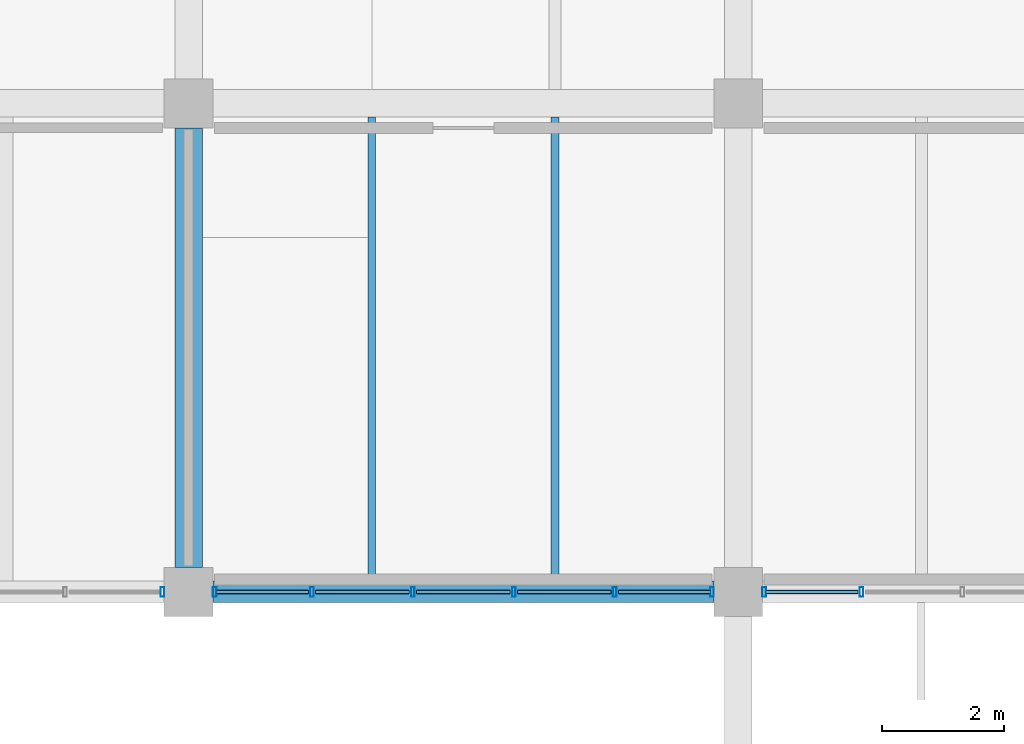
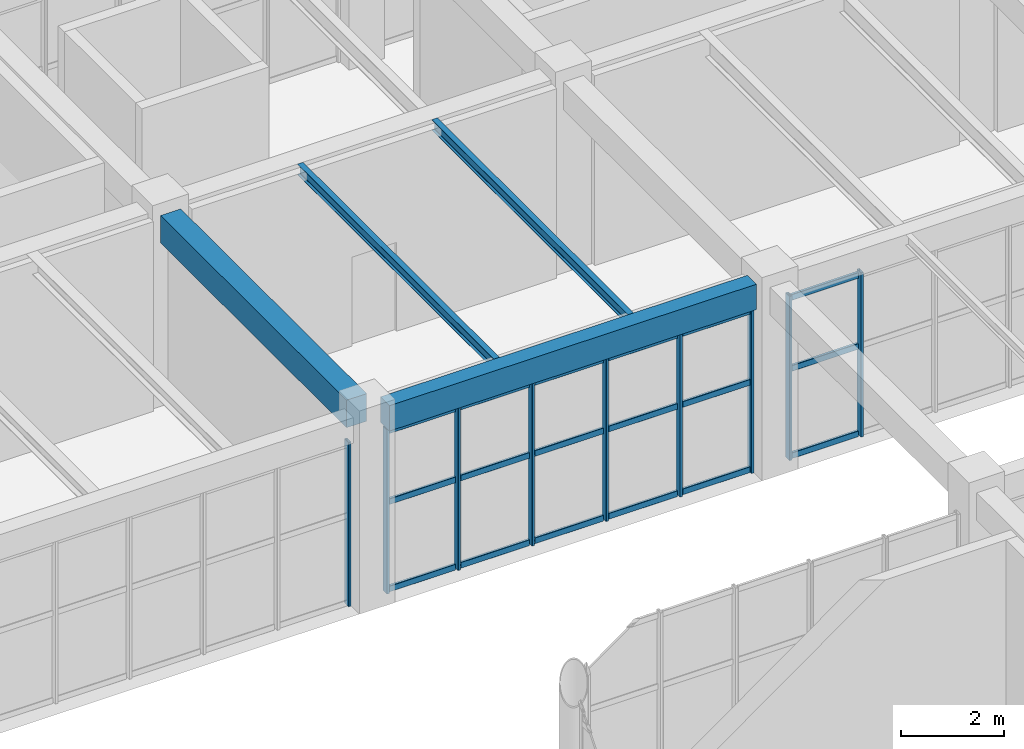
# One storey, part 84 of 178: 27 members, 4 beams, 3 elements without a shape of their own.
"""IFC4 building model written with IfcOpenShell, lengths in metres."""

from ifc_helpers import new_model, si_unit, derived_unit, direction, frame, origin, origin_2d, place, context, subcontext, project, spatial, rectangle, hollow_rectangle, i_section, extrude, material, material_profile, profile_set, type_object, element, aggregate, save


model = new_model("IFC4")

# Units and contexts
model_context = context("Model", 3, precision=1e-05, world=origin(), true_north=direction((0.0, 1.0)))
body_context = subcontext(model_context, "Body", "Model", "MODEL_VIEW")
ifc_project = project(units=[si_unit("LENGTHUNIT", "METRE"), si_unit("AREAUNIT", "SQUARE_METRE"), si_unit("VOLUMEUNIT", "CUBIC_METRE"), si_unit("PLANEANGLEUNIT", "RADIAN"), si_unit("MASSUNIT", "GRAM", prefix="KILO"), derived_unit("THERMALTRANSMITTANCEUNIT", [(si_unit("MASSUNIT", "GRAM", prefix="KILO"), 1), (si_unit("TIMEUNIT", "SECOND"), -3), (si_unit("THERMODYNAMICTEMPERATUREUNIT", "KELVIN"), -1)])], contexts=[model_context])

# Site, building, storey
site_placement = place(None, origin())
site = spatial("IfcSite", under=ifc_project, at=site_placement, CompositionType="ELEMENT")
building_placement = place(site_placement, origin())
building = spatial("IfcBuilding", under=site, at=building_placement, Name="Zhenchuan Archway Interchange", CompositionType="ELEMENT")
storey_placement = place(building_placement, frame((0.0, 0.0, 5.39990234375)))
storey = spatial("IfcBuildingStorey", under=building, at=storey_placement, Name="L01", CompositionType="ELEMENT", Elevation=5.39990234375)

# Beam
ifc_material_1 = material(Name="Concrete C40", Category="concrete")
ifc_material_profile_1 = material_profile(ifc_material_1, rectangle(XDim=0.449951171875, YDim=0.64990234375, at=origin_2d()), Name="RC 450x650")
ifc_profile_set_1 = profile_set([ifc_material_profile_1], Name="Concrete C40")
beam_type_1 = type_object("IfcBeamType", Name="BM_RC_450x650", PredefinedType="BEAM", material=ifc_profile_set_1)
beam_1_placement = place(storey_placement, frame((18.0, 96.39990234375, 4.18505859375), z_axis=(0.0, 1.0, 0.0), x_axis=(-1.0, 0.0, 0.0)))
element("IfcBeam", 1, at=beam_1_placement, inside=storey, type_object=beam_type_1, Name="Beam 3:N-O (L01)", PredefinedType="BEAM", context=body_context, shape_type="SweptSolid", body=[
    extrude(rectangle(XDim=0.449951171875, YDim=0.64990234375, at=origin_2d()), origin(), (0.0, 0.0, 1.0), 7.2001953125),
])

# Curtain wall, members
ifc_material_2 = material(Name="Anodised Aluminium", Category="aluminium")
curtain_wall_type_1 = type_object("IfcCurtainWallType", Name="CW_UNIT_4", PredefinedType="NOTDEFINED", material=ifc_material_2)
curtain_wall_1_placement = place(storey_placement, origin())
curtain_wall_1 = element("IfcCurtainWall", 2, at=curtain_wall_1_placement, inside=storey, type_object=curtain_wall_type_1, Name="Unitised curtain wall CW:L01:039", PredefinedType="NOTDEFINED")
ifc_material_profile_2 = material_profile(ifc_material_2, hollow_rectangle(XDim=0.06005859375, YDim=0.159912109375, WallThickness=0.00390625, InnerFilletRadius=0.00390625, OuterFilletRadius=0.008056640625, at=origin_2d()), Name="ALU 160x60x4")
ifc_profile_set_2 = profile_set([ifc_material_profile_2], Name="Anodised Aluminium")
member_type_1 = type_object("IfcMemberType", Name="CW_MUL_150", PredefinedType="MULLION", material=ifc_profile_set_2)
member_1_placement = place(storey_placement, frame((29.020751953125, 96.0, 0.0), z_axis=(0.0, 0.0, 1.0), x_axis=(1.0, 0.0, 0.0)))
member_1 = element("IfcMember", 3, at=member_1_placement, type_object=member_type_1, Name="CW:L01:039 mullion 4", PredefinedType="MULLION", context=body_context, shape_type="SweptSolid", body=[
    extrude(hollow_rectangle(XDim=0.06005859375, YDim=0.159912109375, WallThickness=0.00390625, InnerFilletRadius=0.00390625, OuterFilletRadius=0.008056640625, at=origin_2d()), origin(), (0.0, 0.0, 1.0), 3.880126953125),
])
member_2_placement = place(storey_placement, frame((27.427978515625, 96.0, 0.0), z_axis=(0.0, 0.0, 1.0), x_axis=(1.0, 0.0, 0.0)))
member_2 = element("IfcMember", 4, at=member_2_placement, type_object=member_type_1, Name="CW:L01:039 mullion 5", PredefinedType="MULLION", context=body_context, shape_type="SweptSolid", body=[
    extrude(hollow_rectangle(XDim=0.06005859375, YDim=0.159912109375, WallThickness=0.00390625, InnerFilletRadius=0.00390625, OuterFilletRadius=0.008056640625, at=origin_2d()), origin(), (0.0, 0.0, 1.0), 3.880126953125),
])

curtain_wall_type_2 = type_object("IfcCurtainWallType", Name="CW_UNIT_1", PredefinedType="NOTDEFINED", material=ifc_material_2)
curtain_wall_2_placement = place(storey_placement, origin())
curtain_wall_2 = element("IfcCurtainWall", 5, at=curtain_wall_2_placement, inside=storey, type_object=curtain_wall_type_2, Name="Unitised curtain wall CW:L01:040", PredefinedType="NOTDEFINED")
member_3_placement = place(storey_placement, frame((26.572021484375, 96.0, 0.0), z_axis=(0.0, 0.0, 1.0), x_axis=(1.0, 0.0, 0.0)))
member_3 = element("IfcMember", 6, at=member_3_placement, type_object=member_type_1, Name="CW:L01:040 mullion 0", PredefinedType="MULLION", context=body_context, shape_type="SweptSolid", body=[
    extrude(hollow_rectangle(XDim=0.06005859375, YDim=0.159912109375, WallThickness=0.00390625, InnerFilletRadius=0.00390625, OuterFilletRadius=0.008056640625, at=origin_2d()), origin(), (0.0, 0.0, 1.0), 3.880126953125),
])
member_4_placement = place(storey_placement, frame((24.979248046875, 96.0, 0.0), z_axis=(0.0, 0.0, 1.0), x_axis=(1.0, 0.0, 0.0)))
member_4 = element("IfcMember", 7, at=member_4_placement, type_object=member_type_1, Name="CW:L01:040 mullion 1", PredefinedType="MULLION", context=body_context, shape_type="SweptSolid", body=[
    extrude(hollow_rectangle(XDim=0.06005859375, YDim=0.159912109375, WallThickness=0.00390625, InnerFilletRadius=0.00390625, OuterFilletRadius=0.008056640625, at=origin_2d()), origin(), (0.0, 0.0, 1.0), 3.880126953125),
])
member_5_placement = place(storey_placement, frame((23.326416015625, 96.0, 0.0), z_axis=(0.0, 0.0, 1.0), x_axis=(1.0, 0.0, 0.0)))
member_5 = element("IfcMember", 8, at=member_5_placement, type_object=member_type_1, Name="CW:L01:040 mullion 2", PredefinedType="MULLION", context=body_context, shape_type="SweptSolid", body=[
    extrude(hollow_rectangle(XDim=0.06005859375, YDim=0.159912109375, WallThickness=0.00390625, InnerFilletRadius=0.00390625, OuterFilletRadius=0.008056640625, at=origin_2d()), origin(), (0.0, 0.0, 1.0), 3.880126953125),
])
member_6_placement = place(storey_placement, frame((21.673583984375, 96.0, 0.0), z_axis=(0.0, 0.0, 1.0), x_axis=(1.0, 0.0, 0.0)))
member_6 = element("IfcMember", 9, at=member_6_placement, type_object=member_type_1, Name="CW:L01:040 mullion 3", PredefinedType="MULLION", context=body_context, shape_type="SweptSolid", body=[
    extrude(hollow_rectangle(XDim=0.06005859375, YDim=0.159912109375, WallThickness=0.00390625, InnerFilletRadius=0.00390625, OuterFilletRadius=0.008056640625, at=origin_2d()), origin(), (0.0, 0.0, 1.0), 3.880126953125),
])
member_7_placement = place(storey_placement, frame((20.020751953125, 96.0, 0.0), z_axis=(0.0, 0.0, 1.0), x_axis=(1.0, 0.0, 0.0)))
member_7 = element("IfcMember", 10, at=member_7_placement, type_object=member_type_1, Name="CW:L01:040 mullion 4", PredefinedType="MULLION", context=body_context, shape_type="SweptSolid", body=[
    extrude(hollow_rectangle(XDim=0.06005859375, YDim=0.159912109375, WallThickness=0.00390625, InnerFilletRadius=0.00390625, OuterFilletRadius=0.008056640625, at=origin_2d()), origin(), (0.0, 0.0, 1.0), 3.880126953125),
])
member_8_placement = place(storey_placement, frame((18.427978515625, 96.0, 0.0), z_axis=(0.0, 0.0, 1.0), x_axis=(1.0, 0.0, 0.0)))
member_8 = element("IfcMember", 11, at=member_8_placement, type_object=member_type_1, Name="CW:L01:040 mullion 5", PredefinedType="MULLION", context=body_context, shape_type="SweptSolid", body=[
    extrude(hollow_rectangle(XDim=0.06005859375, YDim=0.159912109375, WallThickness=0.00390625, InnerFilletRadius=0.00390625, OuterFilletRadius=0.008056640625, at=origin_2d()), origin(), (0.0, 0.0, 1.0), 3.880126953125),
])

# Curtain wall, member
curtain_wall_type_3 = type_object("IfcCurtainWallType", Name="CW_UNIT_2", PredefinedType="NOTDEFINED", material=ifc_material_2)
curtain_wall_3_placement = place(storey_placement, origin())
curtain_wall_3 = element("IfcCurtainWall", 12, at=curtain_wall_3_placement, inside=storey, type_object=curtain_wall_type_3, Name="Unitised curtain wall CW:L01:041", PredefinedType="NOTDEFINED")
member_9_placement = place(storey_placement, frame((17.572021484375, 96.0, 0.0), z_axis=(0.0, 0.0, 1.0), x_axis=(1.0, 0.0, 0.0)))
member_9 = element("IfcMember", 13, at=member_9_placement, type_object=member_type_1, Name="CW:L01:041 mullion 0", PredefinedType="MULLION", context=body_context, shape_type="SweptSolid", body=[
    extrude(hollow_rectangle(XDim=0.06005859375, YDim=0.159912109375, WallThickness=0.00390625, InnerFilletRadius=0.00390625, OuterFilletRadius=0.008056640625, at=origin_2d()), origin(), (0.0, 0.0, 1.0), 3.880126953125),
])
aggregate(curtain_wall_3, [member_9])

# Member
ifc_material_profile_3 = material_profile(ifc_material_2, hollow_rectangle(XDim=0.06005859375, YDim=0.139892578125, WallThickness=0.00341796875, InnerFilletRadius=0.00341796875, OuterFilletRadius=0.007080078125, at=origin_2d()), Name="ALU 140x60x3.5")
ifc_profile_set_3 = profile_set([ifc_material_profile_3], Name="Anodised Aluminium")
member_type_2 = type_object("IfcMemberType", Name="CW_TRN_140", PredefinedType="USERDEFINED", material=ifc_profile_set_3)
member_10_placement = place(storey_placement, frame((28.960693359375, 96.0, 0.06005859375), z_axis=(-1.0, 0.0, 0.0), x_axis=(0.0, -1.0, 0.0)))
member_10 = element("IfcMember", 14, at=member_10_placement, type_object=member_type_2, Name="CW:L01:039 transom 4-1", ObjectType="TRANSOM", PredefinedType="USERDEFINED", context=body_context, shape_type="SweptSolid", body=[
    extrude(hollow_rectangle(XDim=0.06005859375, YDim=0.139892578125, WallThickness=0.00341796875, InnerFilletRadius=0.00341796875, OuterFilletRadius=0.007080078125, at=origin_2d()), origin(), (0.0, 0.0, 1.0), 1.5126953125),
])

member_11_placement = place(storey_placement, frame((28.960693359375, 96.0, 2.123046875), z_axis=(-1.0, 0.0, 0.0), x_axis=(0.0, -1.0, 0.0)))
member_11 = element("IfcMember", 15, at=member_11_placement, type_object=member_type_2, Name="CW:L01:039 transom 4-2", ObjectType="TRANSOM", PredefinedType="USERDEFINED", context=body_context, shape_type="SweptSolid", body=[
    extrude(hollow_rectangle(XDim=0.06005859375, YDim=0.139892578125, WallThickness=0.00341796875, InnerFilletRadius=0.00341796875, OuterFilletRadius=0.007080078125, at=origin_2d()), origin(), (0.0, 0.0, 1.0), 1.5126953125),
])

member_12_placement = place(storey_placement, frame((28.960693359375, 96.0, 3.800048828125), z_axis=(-1.0, 0.0, 0.0), x_axis=(0.0, -1.0, 0.0)))
member_12 = element("IfcMember", 16, at=member_12_placement, type_object=member_type_2, Name="CW:L01:039 transom 4-3", ObjectType="TRANSOM", PredefinedType="USERDEFINED", context=body_context, shape_type="SweptSolid", body=[
    extrude(hollow_rectangle(XDim=0.06005859375, YDim=0.139892578125, WallThickness=0.00341796875, InnerFilletRadius=0.00341796875, OuterFilletRadius=0.007080078125, at=origin_2d()), origin(), (0.0, 0.0, 1.0), 1.5126953125),
])

aggregate(curtain_wall_1, [member_1, member_2, member_10, member_11, member_12])

member_13_placement = place(storey_placement, frame((26.552001953125, 96.0, 0.06005859375), z_axis=(-1.0, 0.0, 0.0), x_axis=(0.0, -1.0, 0.0)))
member_13 = element("IfcMember", 17, at=member_13_placement, type_object=member_type_2, Name="CW:L01:040 transom 0-1", ObjectType="TRANSOM", PredefinedType="USERDEFINED", context=body_context, shape_type="SweptSolid", body=[
    extrude(hollow_rectangle(XDim=0.06005859375, YDim=0.139892578125, WallThickness=0.00341796875, InnerFilletRadius=0.00341796875, OuterFilletRadius=0.007080078125, at=origin_2d()), origin(), (0.0, 0.0, 1.0), 1.5126953125),
])

member_14_placement = place(storey_placement, frame((26.552001953125, 96.0, 2.123046875), z_axis=(-1.0, 0.0, 0.0), x_axis=(0.0, -1.0, 0.0)))
member_14 = element("IfcMember", 18, at=member_14_placement, type_object=member_type_2, Name="CW:L01:040 transom 0-2", ObjectType="TRANSOM", PredefinedType="USERDEFINED", context=body_context, shape_type="SweptSolid", body=[
    extrude(hollow_rectangle(XDim=0.06005859375, YDim=0.139892578125, WallThickness=0.00341796875, InnerFilletRadius=0.00341796875, OuterFilletRadius=0.007080078125, at=origin_2d()), origin(), (0.0, 0.0, 1.0), 1.5126953125),
])

member_15_placement = place(storey_placement, frame((26.552001953125, 96.0, 3.800048828125), z_axis=(-1.0, 0.0, 0.0), x_axis=(0.0, -1.0, 0.0)))
member_15 = element("IfcMember", 19, at=member_15_placement, type_object=member_type_2, Name="CW:L01:040 transom 0-3", ObjectType="TRANSOM", PredefinedType="USERDEFINED", context=body_context, shape_type="SweptSolid", body=[
    extrude(hollow_rectangle(XDim=0.06005859375, YDim=0.139892578125, WallThickness=0.00341796875, InnerFilletRadius=0.00341796875, OuterFilletRadius=0.007080078125, at=origin_2d()), origin(), (0.0, 0.0, 1.0), 1.5126953125),
])

member_16_placement = place(storey_placement, frame((24.919189453125, 96.0, 0.06005859375), z_axis=(-1.0, 0.0, 0.0), x_axis=(0.0, -1.0, 0.0)))
member_16 = element("IfcMember", 20, at=member_16_placement, type_object=member_type_2, Name="CW:L01:040 transom 1-1", ObjectType="TRANSOM", PredefinedType="USERDEFINED", context=body_context, shape_type="SweptSolid", body=[
    extrude(hollow_rectangle(XDim=0.06005859375, YDim=0.139892578125, WallThickness=0.00341796875, InnerFilletRadius=0.00341796875, OuterFilletRadius=0.007080078125, at=origin_2d()), origin(), (0.0, 0.0, 1.0), 1.53271484375),
])

member_17_placement = place(storey_placement, frame((24.919189453125, 96.0, 2.123046875), z_axis=(-1.0, 0.0, 0.0), x_axis=(0.0, -1.0, 0.0)))
member_17 = element("IfcMember", 21, at=member_17_placement, type_object=member_type_2, Name="CW:L01:040 transom 1-2", ObjectType="TRANSOM", PredefinedType="USERDEFINED", context=body_context, shape_type="SweptSolid", body=[
    extrude(hollow_rectangle(XDim=0.06005859375, YDim=0.139892578125, WallThickness=0.00341796875, InnerFilletRadius=0.00341796875, OuterFilletRadius=0.007080078125, at=origin_2d()), origin(), (0.0, 0.0, 1.0), 1.53271484375),
])

member_18_placement = place(storey_placement, frame((24.919189453125, 96.0, 3.800048828125), z_axis=(-1.0, 0.0, 0.0), x_axis=(0.0, -1.0, 0.0)))
member_18 = element("IfcMember", 22, at=member_18_placement, type_object=member_type_2, Name="CW:L01:040 transom 1-3", ObjectType="TRANSOM", PredefinedType="USERDEFINED", context=body_context, shape_type="SweptSolid", body=[
    extrude(hollow_rectangle(XDim=0.06005859375, YDim=0.139892578125, WallThickness=0.00341796875, InnerFilletRadius=0.00341796875, OuterFilletRadius=0.007080078125, at=origin_2d()), origin(), (0.0, 0.0, 1.0), 1.53271484375),
])

member_19_placement = place(storey_placement, frame((23.266357421875, 96.0, 0.06005859375), z_axis=(-1.0, 0.0, 0.0), x_axis=(0.0, -1.0, 0.0)))
member_19 = element("IfcMember", 23, at=member_19_placement, type_object=member_type_2, Name="CW:L01:040 transom 2-1", ObjectType="TRANSOM", PredefinedType="USERDEFINED", context=body_context, shape_type="SweptSolid", body=[
    extrude(hollow_rectangle(XDim=0.06005859375, YDim=0.139892578125, WallThickness=0.00341796875, InnerFilletRadius=0.00341796875, OuterFilletRadius=0.007080078125, at=origin_2d()), origin(), (0.0, 0.0, 1.0), 1.53271484375),
])

member_20_placement = place(storey_placement, frame((23.266357421875, 96.0, 2.123046875), z_axis=(-1.0, 0.0, 0.0), x_axis=(0.0, -1.0, 0.0)))
member_20 = element("IfcMember", 24, at=member_20_placement, type_object=member_type_2, Name="CW:L01:040 transom 2-2", ObjectType="TRANSOM", PredefinedType="USERDEFINED", context=body_context, shape_type="SweptSolid", body=[
    extrude(hollow_rectangle(XDim=0.06005859375, YDim=0.139892578125, WallThickness=0.00341796875, InnerFilletRadius=0.00341796875, OuterFilletRadius=0.007080078125, at=origin_2d()), origin(), (0.0, 0.0, 1.0), 1.53271484375),
])

member_21_placement = place(storey_placement, frame((23.266357421875, 96.0, 3.800048828125), z_axis=(-1.0, 0.0, 0.0), x_axis=(0.0, -1.0, 0.0)))
member_21 = element("IfcMember", 25, at=member_21_placement, type_object=member_type_2, Name="CW:L01:040 transom 2-3", ObjectType="TRANSOM", PredefinedType="USERDEFINED", context=body_context, shape_type="SweptSolid", body=[
    extrude(hollow_rectangle(XDim=0.06005859375, YDim=0.139892578125, WallThickness=0.00341796875, InnerFilletRadius=0.00341796875, OuterFilletRadius=0.007080078125, at=origin_2d()), origin(), (0.0, 0.0, 1.0), 1.53271484375),
])

member_22_placement = place(storey_placement, frame((21.613525390625, 96.0, 0.06005859375), z_axis=(-1.0, 0.0, 0.0), x_axis=(0.0, -1.0, 0.0)))
member_22 = element("IfcMember", 26, at=member_22_placement, type_object=member_type_2, Name="CW:L01:040 transom 3-1", ObjectType="TRANSOM", PredefinedType="USERDEFINED", context=body_context, shape_type="SweptSolid", body=[
    extrude(hollow_rectangle(XDim=0.06005859375, YDim=0.139892578125, WallThickness=0.00341796875, InnerFilletRadius=0.00341796875, OuterFilletRadius=0.007080078125, at=origin_2d()), origin(), (0.0, 0.0, 1.0), 1.53271484375),
])

member_23_placement = place(storey_placement, frame((21.613525390625, 96.0, 2.123046875), z_axis=(-1.0, 0.0, 0.0), x_axis=(0.0, -1.0, 0.0)))
member_23 = element("IfcMember", 27, at=member_23_placement, type_object=member_type_2, Name="CW:L01:040 transom 3-2", ObjectType="TRANSOM", PredefinedType="USERDEFINED", context=body_context, shape_type="SweptSolid", body=[
    extrude(hollow_rectangle(XDim=0.06005859375, YDim=0.139892578125, WallThickness=0.00341796875, InnerFilletRadius=0.00341796875, OuterFilletRadius=0.007080078125, at=origin_2d()), origin(), (0.0, 0.0, 1.0), 1.53271484375),
])

member_24_placement = place(storey_placement, frame((21.613525390625, 96.0, 3.800048828125), z_axis=(-1.0, 0.0, 0.0), x_axis=(0.0, -1.0, 0.0)))
member_24 = element("IfcMember", 28, at=member_24_placement, type_object=member_type_2, Name="CW:L01:040 transom 3-3", ObjectType="TRANSOM", PredefinedType="USERDEFINED", context=body_context, shape_type="SweptSolid", body=[
    extrude(hollow_rectangle(XDim=0.06005859375, YDim=0.139892578125, WallThickness=0.00341796875, InnerFilletRadius=0.00341796875, OuterFilletRadius=0.007080078125, at=origin_2d()), origin(), (0.0, 0.0, 1.0), 1.53271484375),
])

member_25_placement = place(storey_placement, frame((19.960693359375, 96.0, 0.06005859375), z_axis=(-1.0, 0.0, 0.0), x_axis=(0.0, -1.0, 0.0)))
member_25 = element("IfcMember", 29, at=member_25_placement, type_object=member_type_2, Name="CW:L01:040 transom 4-1", ObjectType="TRANSOM", PredefinedType="USERDEFINED", context=body_context, shape_type="SweptSolid", body=[
    extrude(hollow_rectangle(XDim=0.06005859375, YDim=0.139892578125, WallThickness=0.00341796875, InnerFilletRadius=0.00341796875, OuterFilletRadius=0.007080078125, at=origin_2d()), origin(), (0.0, 0.0, 1.0), 1.5126953125),
])

member_26_placement = place(storey_placement, frame((19.960693359375, 96.0, 2.123046875), z_axis=(-1.0, 0.0, 0.0), x_axis=(0.0, -1.0, 0.0)))
member_26 = element("IfcMember", 30, at=member_26_placement, type_object=member_type_2, Name="CW:L01:040 transom 4-2", ObjectType="TRANSOM", PredefinedType="USERDEFINED", context=body_context, shape_type="SweptSolid", body=[
    extrude(hollow_rectangle(XDim=0.06005859375, YDim=0.139892578125, WallThickness=0.00341796875, InnerFilletRadius=0.00341796875, OuterFilletRadius=0.007080078125, at=origin_2d()), origin(), (0.0, 0.0, 1.0), 1.5126953125),
])

member_27_placement = place(storey_placement, frame((19.960693359375, 96.0, 3.800048828125), z_axis=(-1.0, 0.0, 0.0), x_axis=(0.0, -1.0, 0.0)))
member_27 = element("IfcMember", 31, at=member_27_placement, type_object=member_type_2, Name="CW:L01:040 transom 4-3", ObjectType="TRANSOM", PredefinedType="USERDEFINED", context=body_context, shape_type="SweptSolid", body=[
    extrude(hollow_rectangle(XDim=0.06005859375, YDim=0.139892578125, WallThickness=0.00341796875, InnerFilletRadius=0.00341796875, OuterFilletRadius=0.007080078125, at=origin_2d()), origin(), (0.0, 0.0, 1.0), 1.5126953125),
])

aggregate(curtain_wall_2, [member_3, member_4, member_5, member_6, member_7, member_8, member_13, member_14, member_15, member_16, member_17, member_18, member_19, member_20, member_21, member_22, member_23, member_24, member_25, member_26, member_27])

# Beams
ifc_material_3 = material(Name="Steel Q355", Category="steel")
ifc_material_profile_4 = material_profile(ifc_material_3, i_section(OverallWidth=0.125, OverallDepth=0.25, WebThickness=0.006103515625, FlangeThickness=0.009033203125, FilletRadius=0.011962890625, at=origin_2d()), Name="HN 250x125")
ifc_profile_set_4 = profile_set([ifc_material_profile_4], Name="Steel Q355")
beam_type_2 = type_object("IfcBeamType", Name="JST_STL_HN250", PredefinedType="JOIST", material=ifc_profile_set_4)
for number, where, z_axis, x_axis, name in (
    (32, (21.0, 96.175048828125, 4.385009765625), (0.0, 1.0, 0.0), (-1.0, 0.0, 0.0), "Secondary joist 3-4/N-O #1 (L01)"),
    (33, (24.0, 96.175048828125, 4.385009765625), (0.0, 1.0, 0.0), (-1.0, 0.0, 0.0), "Secondary joist 3-4/N-O #2 (L01)"),
):
    element("IfcBeam", number, at=place(storey_placement, frame(where, z_axis=z_axis, x_axis=x_axis)), inside=storey, type_object=beam_type_2, Name=name, PredefinedType="JOIST", context=body_context, shape_type="SweptSolid", body=[
        extrude(i_section(OverallWidth=0.125, OverallDepth=0.25, WebThickness=0.006103515625, FlangeThickness=0.009033203125, FilletRadius=0.011962890625, at=origin_2d()), origin(), (0.0, 0.0, 1.0), 7.599853515625),
    ])
ifc_material_profile_5 = material_profile(ifc_material_1, rectangle(XDim=0.35009765625, YDim=0.60009765625, at=origin_2d()), Name="RC 350x600")
ifc_profile_set_5 = profile_set([ifc_material_profile_5], Name="Concrete C40")
beam_type_3 = type_object("IfcBeamType", Name="SP_RC_350x600", PredefinedType="SPANDREL", material=ifc_profile_set_5)
beam_2_placement = place(storey_placement, frame((18.39990234375, 96.0, 4.210205078125), z_axis=(1.0, 0.0, 0.0), x_axis=(0.0, 1.0, 0.0)))
element("IfcBeam", 34, at=beam_2_placement, inside=storey, type_object=beam_type_3, Name="Beam N:3-4 (L01)", PredefinedType="SPANDREL", context=body_context, shape_type="SweptSolid", body=[
    extrude(rectangle(XDim=0.35009765625, YDim=0.60009765625, at=origin_2d()), origin(), (0.0, 0.0, 1.0), 8.2001953125),
])

save(model, "model.ifc")
